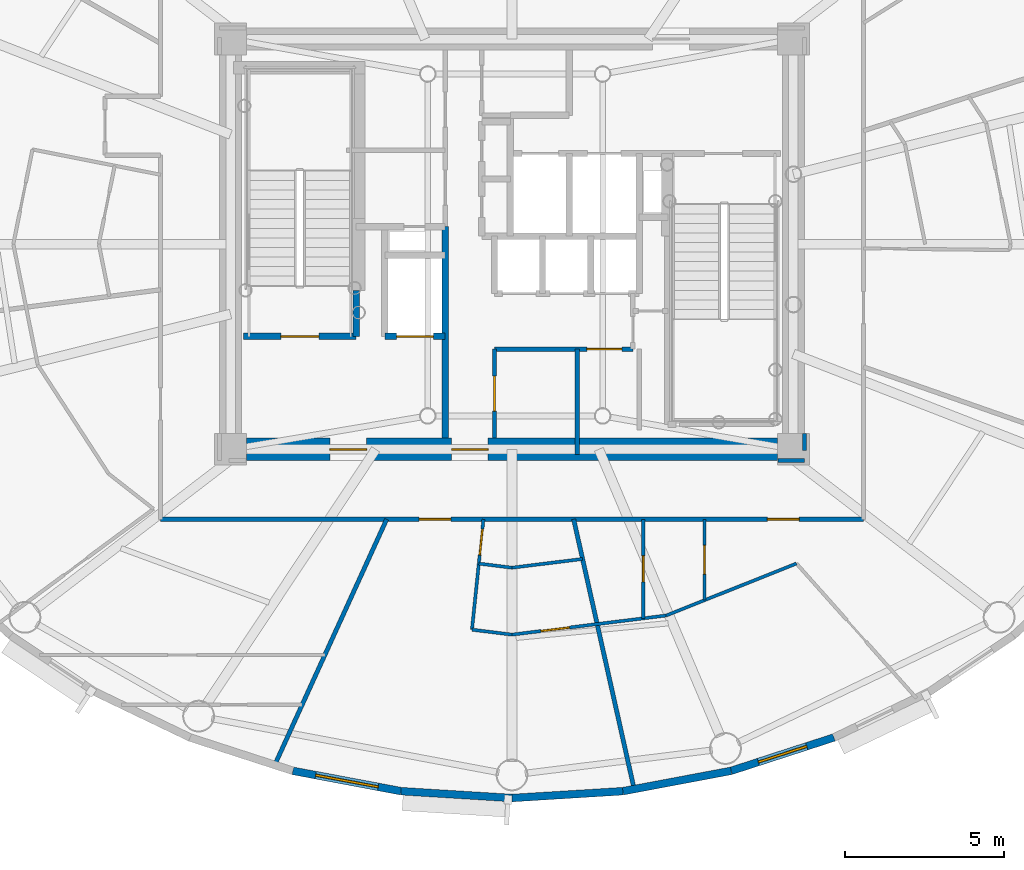
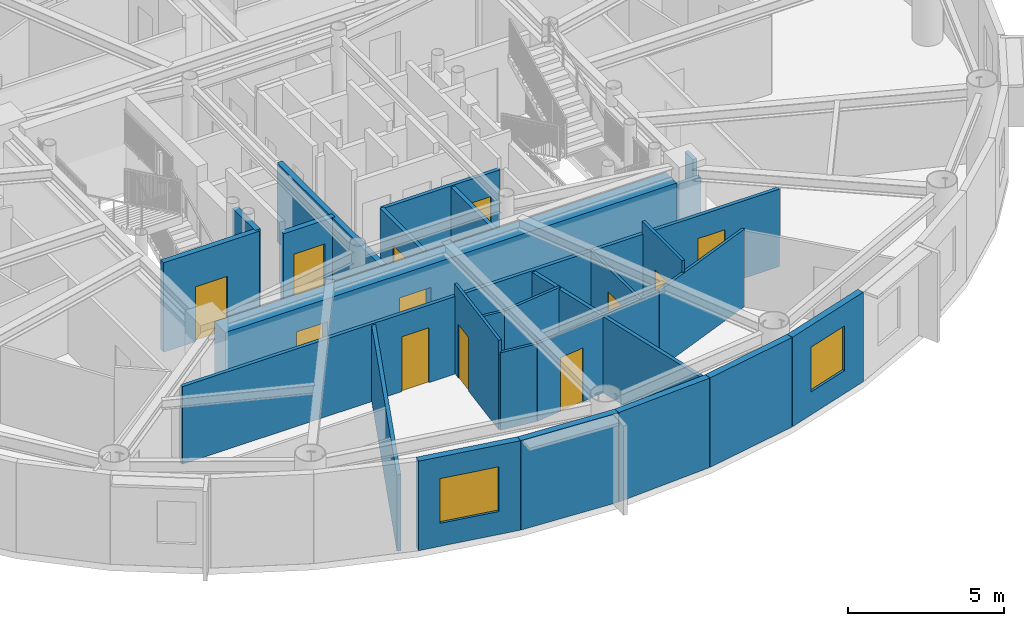
# One storey, part 5 of 17: 26 walls, 12 doors, 2 windows, 14 openings.
"""IFC4 building model written with IfcOpenShell, lengths in metres."""

import ifcopenshell
import ifcopenshell.guid

model = None  # the IFC model being written
_history = None  # IfcOwnerHistory: only IFC2X3 demands one
_inside = {}  # id of a spatial element -> (the spatial element, [elements in it])
_under = {}  # id of a project, library or spatial element -> (it, [spatial elements below it])
_declared = {}  # id of a project -> (the project, [libraries it declares])
_typed = {}  # id of a type object -> (the type object, [elements of that type])
_made_of = {}  # id of a material, layer set ... -> (it, [elements and type objects made of it])


def new_model(schema):
    """Start an empty IFC model of exactly this schema.

    Asked for "IFC4X3", IfcOpenShell would pick the latest addendum, in which some entities
    have other attributes; the version numbers below select the first issue.
    IFC2X3 requires an IfcOwnerHistory on every rooted entity: one is made here for all.
    """
    global model, _history
    if schema == "IFC4X3":
        model = ifcopenshell.file(schema_version=(4, 3, 0, 0))
    else:
        model = ifcopenshell.file(schema=schema)
    _inside.clear()
    _under.clear()
    _declared.clear()
    _typed.clear()
    _made_of.clear()
    _history = None
    if model.schema == "IFC2X3":
        org = make("IfcOrganization", Name="unknown")
        user = make(
            "IfcPersonAndOrganization",
            ThePerson=make("IfcPerson", FamilyName="unknown"),
            TheOrganization=org,
        )
        app = make(
            "IfcApplication",
            ApplicationDeveloper=org,
            Version="unknown",
            ApplicationFullName="unknown",
            ApplicationIdentifier="unknown",
        )
        _history = make(
            "IfcOwnerHistory",
            OwningUser=user,
            OwningApplication=app,
            ChangeAction="ADDED",
            CreationDate=0,
        )
    return model


def make(cls, **values):
    """One entity of the class cls with the attributes given. An attribute that is None is left unset."""
    return model.create_entity(
        cls, **{name: value for name, value in values.items() if value is not None}
    )


def rooted(cls, **values):
    """An entity with a GlobalId (a new one), such as an element, a storey or a relation."""
    return make(cls, GlobalId=ifcopenshell.guid.new(), OwnerHistory=_history, **values)


def si_unit(unit_type, name, prefix=None):
    """IfcSIUnit, for example si_unit("LENGTHUNIT", "METRE", prefix="MILLI")."""
    return make("IfcSIUnit", UnitType=unit_type, Prefix=prefix, Name=name)


def assignment(units):
    """IfcUnitAssignment: the units of a project."""
    return None if units is None else make("IfcUnitAssignment", Units=units)


def point(xyz):
    """IfcCartesianPoint."""
    return None if xyz is None else make("IfcCartesianPoint", Coordinates=xyz)


def direction(xyz):
    """IfcDirection."""
    return None if xyz is None else make("IfcDirection", DirectionRatios=xyz)


def frame(location, z_axis=None, x_axis=None):
    """IfcAxis2Placement3D, a coordinate frame: its origin and axes. An axis left out is left unset."""
    return make(
        "IfcAxis2Placement3D",
        Location=point(location),
        Axis=direction(z_axis),
        RefDirection=direction(x_axis),
    )


def frame_2d(location, x_axis=None):
    """IfcAxis2Placement2D, a coordinate frame in the plane: its origin and x axis."""
    return make(
        "IfcAxis2Placement2D", Location=point(location), RefDirection=direction(x_axis)
    )


def origin():
    """The frame at (0, 0, 0) with its axes left unset."""
    return frame((0.0, 0.0, 0.0))


def origin_2d():
    """The frame at (0, 0) in the plane with its x axis left unset."""
    return frame_2d((0.0, 0.0))


def place(relative_to, where):
    """IfcLocalPlacement: puts the frame where relative to a parent placement (None: the world)."""
    return make(
        "IfcLocalPlacement", PlacementRelTo=relative_to, RelativePlacement=where
    )


def context(
    kind, dimensions, precision=None, world=None, true_north=None, identifier=None
):
    """IfcGeometricRepresentationContext, for example the 3D "Model" context."""
    return make(
        "IfcGeometricRepresentationContext",
        ContextIdentifier=identifier,
        ContextType=kind,
        CoordinateSpaceDimension=dimensions,
        Precision=precision,
        WorldCoordinateSystem=world,
        TrueNorth=true_north,
    )


def subcontext(parent, identifier, kind, view, scale=None):
    """IfcGeometricRepresentationSubContext, for example "Body" below "Model"."""
    return make(
        "IfcGeometricRepresentationSubContext",
        ContextIdentifier=identifier,
        ContextType=kind,
        ParentContext=parent,
        TargetScale=scale,
        TargetView=view,
    )


def project(units=None, contexts=None):
    """IfcProject with its units and contexts."""
    return rooted(
        "IfcProject",
        Name="project",
        RepresentationContexts=contexts,
        UnitsInContext=assignment(units),
    )


def spatial(cls, under=None, at=None, **own):
    """A site, building, storey or space (cls), placed at a placement, below another one or the project."""
    s = rooted(cls, ObjectPlacement=at, **own)
    if under is not None:
        _under.setdefault(under.id(), (under, []))[1].append(s)
    return s


def profile(cls, at=None, kind="AREA", **sizes):
    """A parametric profile (cls). Its sizes go by their IFC names, for example OverallWidth=200.0."""
    return make(cls, ProfileType=kind, Position=at, **sizes)


def rectangle(**sizes):
    """IfcRectangleProfileDef."""
    return profile("IfcRectangleProfileDef", **sizes)


def extrude(swept, where, along, depth):
    """IfcExtrudedAreaSolid: the profile swept, set in the frame where, extruded along a direction by depth."""
    return make(
        "IfcExtrudedAreaSolid",
        SweptArea=swept,
        Position=where,
        ExtrudedDirection=direction(along),
        Depth=depth,
    )


def shape(context_of_items, identifier, shape_type, items):
    """IfcShapeRepresentation: the items that make up one representation, for example the "Body"."""
    return make(
        "IfcShapeRepresentation",
        ContextOfItems=context_of_items,
        RepresentationIdentifier=identifier,
        RepresentationType=shape_type,
        Items=items,
    )


def source(mapping_origin, context_of_items, identifier, shape_type, items):
    """IfcRepresentationMap: a shape defined once, which mapped items show again and again."""
    return make(
        "IfcRepresentationMap",
        MappingOrigin=mapping_origin,
        MappedRepresentation=shape(context_of_items, identifier, shape_type, items),
    )


def transform(
    local_origin,
    x_axis=None,
    y_axis=None,
    z_axis=None,
    scale=None,
    scale2=None,
    scale3=None,
    uniform=True,
):
    """IfcCartesianTransformationOperator3D, or its non-uniform kind. x_axis, y_axis, z_axis: its Axis1, 2, 3."""
    if uniform:
        return make(
            "IfcCartesianTransformationOperator3D",
            Axis1=direction(x_axis),
            Axis2=direction(y_axis),
            LocalOrigin=point(local_origin),
            Scale=scale,
            Axis3=direction(z_axis),
        )
    return make(
        "IfcCartesianTransformationOperator3DnonUniform",
        Axis1=direction(x_axis),
        Axis2=direction(y_axis),
        LocalOrigin=point(local_origin),
        Scale=scale,
        Axis3=direction(z_axis),
        Scale2=scale2,
        Scale3=scale3,
    )


def mapped(mapping_source, mapping_target):
    """IfcMappedItem: shows the shape of a source again, moved by a transform."""
    return make(
        "IfcMappedItem", MappingSource=mapping_source, MappingTarget=mapping_target
    )


def material(Name=None, Category=None):
    """IfcMaterial."""
    return make("IfcMaterial", Name=Name, Category=Category)


def layer(
    of_material, thickness, ventilated=None, Name=None, Category=None, Priority=None
):
    """IfcMaterialLayer: one layer of a wall or slab, of a material (None: an air gap)."""
    return make(
        "IfcMaterialLayer",
        Material=of_material,
        LayerThickness=thickness,
        IsVentilated=ventilated,
        Name=Name,
        Category=Category,
        Priority=Priority,
    )


def layer_set(layers, Name=None):
    """IfcMaterialLayerSet."""
    return make("IfcMaterialLayerSet", MaterialLayers=layers, LayerSetName=Name)


def made_of(thing, what):
    """Note that an element or type object is made of a material, layer set ...; save() writes the relation."""
    if what is not None:
        _made_of.setdefault(what.id(), (what, []))[1].append(thing)
    return thing


def type_object(cls, material=None, **own):
    """A type object (cls), such as IfcWallType, which elements share."""
    return made_of(rooted(cls, **own), material)


def element(
    cls,
    number,
    at=None,
    inside=None,
    cuts=None,
    type_object=None,
    material=None,
    context=None,
    identifier="Body",
    shape_type=None,
    held_by="IfcProductDefinitionShape",
    body=None,
    shapes=None,
    **own,
):
    """One element of the class cls, such as IfcWall. Its Tag is "e" and its number.

    at: its placement. inside: the storey or other place that contains it. cuts: it is an
    opening in that element (IfcRelVoidsElement). A single representation is given by context,
    identifier, shape_type and body (its items); several are given by shapes. held_by: the class
    of the entity that holds the representations. save() writes the other relations.
    """
    e = rooted(cls, Tag="e%d" % number, ObjectPlacement=at, **own)
    if body is not None:
        shapes = [shape(context, identifier, shape_type, body)]
    if shapes is not None:
        e.Representation = make(held_by, Representations=shapes)
    if inside is not None:
        _inside.setdefault(inside.id(), (inside, []))[1].append(e)
    if cuts is not None:
        rooted(
            "IfcRelVoidsElement", RelatingBuildingElement=cuts, RelatedOpeningElement=e
        )
    if type_object is not None:
        _typed.setdefault(type_object.id(), (type_object, []))[1].append(e)
    return made_of(e, material)


def fill(opening, filler):
    """IfcRelFillsElement: the door or window that sits in an opening."""
    return rooted(
        "IfcRelFillsElement",
        RelatingOpeningElement=opening,
        RelatedBuildingElement=filler,
    )


def aggregate(whole, parts):
    """IfcRelAggregates: a whole, such as a stair, and the parts it consists of."""
    return rooted("IfcRelAggregates", RelatingObject=whole, RelatedObjects=parts)


def save(model, path):
    """Write the relations noted so far, then the file.

    IfcRelAggregates (storeys below a building ...), IfcRelContainedInSpatialStructure (elements
    in a storey), IfcRelDefinesByType, IfcRelAssociatesMaterial and IfcRelDeclares: one each for
    every whole, place, type object, material and project.
    """
    for whole, parts in _under.values():
        aggregate(whole, parts)
    for where, things in _inside.values():
        rooted(
            "IfcRelContainedInSpatialStructure",
            RelatedElements=things,
            RelatingStructure=where,
        )
    for kind, things in _typed.values():
        rooted("IfcRelDefinesByType", RelatedObjects=things, RelatingType=kind)
    for what, things in _made_of.values():
        rooted("IfcRelAssociatesMaterial", RelatedObjects=things, RelatingMaterial=what)
    for by, libraries in _declared.values():
        rooted("IfcRelDeclares", RelatingContext=by, RelatedDefinitions=libraries)
    model.write(path)


model = new_model("IFC4")

# Units and contexts
model_context = context("Model", 3, precision=1e-05, world=origin(), true_north=direction((0.0, 1.0)))
body_context = subcontext(model_context, "Body", "Model", "MODEL_VIEW")
ifc_project = project(units=[si_unit("LENGTHUNIT", "METRE"), si_unit("AREAUNIT", "SQUARE_METRE"), si_unit("VOLUMEUNIT", "CUBIC_METRE"), si_unit("PLANEANGLEUNIT", "RADIAN"), si_unit("MASSUNIT", "GRAM", prefix="KILO")], contexts=[model_context])

# Site, building, storey
site_placement = place(None, origin())
site = spatial("IfcSite", under=ifc_project, at=site_placement, CompositionType="ELEMENT")
building_placement = place(site_placement, origin())
building = spatial("IfcBuilding", under=site, at=building_placement, Name="Linh Dai School and Residence Tower", CompositionType="ELEMENT")
storey_placement = place(building_placement, frame((0.0, 0.0, 303.0)))
storey = spatial("IfcBuildingStorey", under=building, at=storey_placement, Name="L75", CompositionType="ELEMENT", Elevation=303.0)

# Wall, opening, window
ifc_material_1 = material(Name="Precast Concrete B45 (C35/45)", Category="concrete")
ifc_layer_1 = layer(ifc_material_1, 0.239990234375)
ifc_layer_set_1 = layer_set([ifc_layer_1], Name="Precast Concrete B45 (C35/45)")
wall_type_1 = type_object("IfcWallType", Name="EW-TC-240", PredefinedType="SOLIDWALL", material=ifc_layer_set_1)
wall_1_placement = place(storey_placement, frame((32.51123046875, 9.800048828125, 0.0), z_axis=(0.0, 0.0, 1.0), x_axis=(-0.982782655757, 0.184765395959, 0.0)))
wall_1 = element("IfcWall", 1, at=wall_1_placement, inside=storey, type_object=wall_type_1, Name="L75 Terracotta Exterior Wall 29", PredefinedType="SOLIDWALL", context=body_context, shape_type="SweptSolid", body=[
    extrude(rectangle(XDim=3.4619140625, YDim=0.239990234375, at=frame_2d((1.73095703125, 0.0))), origin(), (0.0, 0.0, 1.0), 3.5),
])
opening_1_placement = place(wall_1_placement, frame((0.73095703125, 0.0, 0.89990234375)))
opening_1 = element("IfcOpeningElement", 2, at=opening_1_placement, cuts=wall_1, Name="Opening W1", PredefinedType="OPENING", context=body_context, shape_type="SweptSolid", body=[
    extrude(rectangle(XDim=2.0, YDim=1.75, at=origin_2d()), frame((1.0, 0.1298828125, 0.875), z_axis=(0.0, -1.0, 0.0), x_axis=(1.0, 0.0, 0.0)), (0.0, 0.0, 1.0), 0.260009765625),
])
ifc_material_2 = material(Name="Double Low-E Insulated Glazing", Category="glass")
window_type_1 = type_object("IfcWindowType", Name="WN-RES-2000x1750", PartitioningType="DOUBLE_PANEL_VERTICAL", PredefinedType="WINDOW", material=ifc_material_2)
shared_shape_1 = source(origin(), body_context, "Body", "SweptSolid", [
    extrude(rectangle(XDim=2.0, YDim=1.75, at=origin_2d()), frame((1.0, 0.030029296875, 0.875), z_axis=(0.0, -1.0, 0.0), x_axis=(1.0, 0.0, 0.0)), (0.0, 0.0, 1.0), 0.06005859375),
])
window_1_placement = place(opening_1_placement, origin())
window_1 = element("IfcWindow", 3, at=window_1_placement, inside=storey, type_object=window_type_1, Name="L75 Exterior Window 29.1", OverallHeight=1.75, OverallWidth=2.0, PartitioningType="DOUBLE_PANEL_VERTICAL", PredefinedType="WINDOW", context=body_context, shape_type="MappedRepresentation", body=[
    mapped(shared_shape_1, transform((0.0, 0.0, 0.0), x_axis=(1.0, 0.0, 0.0), y_axis=(0.0, 1.0, 0.0), z_axis=(0.0, 0.0, 1.0), scale=1.0)),
])
fill(opening_1, window_1)

# Walls
for number, where, z_axis, x_axis, name in (
    (4, (36.0, 9.5849609375, 0.0), (0.0, 0.0, 1.0), (-0.998104946479, 0.061534671648, 0.0), "L75 Terracotta Exterior Wall 30"),
    (5, (39.48876953125, 9.800048828125, 0.0), (0.0, 0.0, 1.0), (-0.998104946479, -0.061534671648, 0.0), "L75 Terracotta Exterior Wall 31"),
):
    element("IfcWall", number, at=place(storey_placement, frame(where, z_axis=z_axis, x_axis=x_axis)), inside=storey, type_object=wall_type_1, Name=name, PredefinedType="SOLIDWALL", context=body_context, shape_type="SweptSolid", body=[
        extrude(rectangle(XDim=3.495361328125, YDim=0.239990234375, at=frame_2d((1.74755859375, 0.0))), origin(), (0.0, 0.0, 1.0), 3.5),
    ])
wall_2_placement = place(storey_placement, frame((42.89111328125, 10.439697265625, 0.0), z_axis=(0.0, 0.0, 1.0), x_axis=(-0.982782655757, -0.184765395959, 0.0)))
element("IfcWall", 6, at=wall_2_placement, inside=storey, type_object=wall_type_1, Name="L75 Terracotta Exterior Wall 32", PredefinedType="SOLIDWALL", context=body_context, shape_type="SweptSolid", body=[
    extrude(rectangle(XDim=3.4619140625, YDim=0.239990234375, at=frame_2d((1.73095703125, 0.0))), origin(), (0.0, 0.0, 1.0), 3.5),
])

# Wall, opening, window
wall_3_placement = place(storey_placement, frame((46.123046875, 11.48779296875, 0.0), z_axis=(0.0, 0.0, 1.0), x_axis=(-0.95123136723, -0.308478339592, 0.0)))
wall_3 = element("IfcWall", 7, at=wall_3_placement, inside=storey, type_object=wall_type_1, Name="L75 Terracotta Exterior Wall 33", PredefinedType="SOLIDWALL", context=body_context, shape_type="SweptSolid", body=[
    extrude(rectangle(XDim=3.397705078125, YDim=0.239990234375, at=frame_2d((1.69873046875, 0.0))), origin(), (0.0, 0.0, 1.0), 3.5),
])
opening_2_placement = place(wall_3_placement, frame((0.89892578125, 0.0, 0.89990234375)))
opening_2 = element("IfcOpeningElement", 8, at=opening_2_placement, cuts=wall_3, Name="Opening W2", PredefinedType="OPENING", context=body_context, shape_type="SweptSolid", body=[
    extrude(rectangle(XDim=1.60009765625, YDim=1.75, at=origin_2d()), frame((0.800048828125, 0.1298828125, 0.875), z_axis=(0.0, -1.0, 0.0), x_axis=(1.0, 0.0, 0.0)), (0.0, 0.0, 1.0), 0.260009765625),
])
window_type_2 = type_object("IfcWindowType", Name="WN-RES-1600x1750", PartitioningType="DOUBLE_PANEL_VERTICAL", PredefinedType="WINDOW", material=ifc_material_2)
shared_shape_2 = source(origin(), body_context, "Body", "SweptSolid", [
    extrude(rectangle(XDim=1.60009765625, YDim=1.75, at=origin_2d()), frame((0.800048828125, 0.030029296875, 0.875), z_axis=(0.0, -1.0, 0.0), x_axis=(1.0, 0.0, 0.0)), (0.0, 0.0, 1.0), 0.06005859375),
])
window_2_placement = place(opening_2_placement, origin())
window_2 = element("IfcWindow", 9, at=window_2_placement, inside=storey, type_object=window_type_2, Name="L75 Exterior Window 33.1", OverallHeight=1.75, OverallWidth=1.60009765625, PartitioningType="DOUBLE_PANEL_VERTICAL", PredefinedType="WINDOW", context=body_context, shape_type="MappedRepresentation", body=[
    mapped(shared_shape_2, transform((0.0, 0.0, 0.0), x_axis=(1.0, 0.0, 0.0), y_axis=(0.0, 1.0, 0.0), z_axis=(0.0, 0.0, 1.0), scale=1.0)),
])
fill(opening_2, window_2)

# Wall, openings, doors
ifc_material_3 = material(Name="Autoclaved Aerated Concrete Blockwork", Category="masonry")
ifc_layer_2 = layer(ifc_material_3, 0.135009765625)
ifc_layer_set_2 = layer_set([ifc_layer_2], Name="Autoclaved Aerated Concrete Blockwork")
wall_type_2 = type_object("IfcWallType", Name="IW-CORR-135-EI90", PredefinedType="PARTITIONING", material=ifc_layer_set_2)
wall_4_placement = place(storey_placement, frame((24.949951171875, 18.35009765625, 0.0), z_axis=(0.0, 0.0, 1.0), x_axis=(1.0, 0.0, 0.0)))
wall_4 = element("IfcWall", 10, at=wall_4_placement, inside=storey, type_object=wall_type_2, Name="L75 Interior Partition Wall 017", PredefinedType="PARTITIONING", context=body_context, shape_type="SweptSolid", body=[
    extrude(rectangle(XDim=22.10009765625, YDim=0.135009765625, at=frame_2d((11.050048828125, 0.0))), origin(), (0.0, 0.0, 1.0), 3.034912109375),
])
opening_3_placement = place(wall_4_placement, frame((8.130615234375, 0.0, 0.0)))
opening_3 = element("IfcOpeningElement", 11, at=opening_3_placement, cuts=wall_4, Name="Opening D03", PredefinedType="OPENING", context=body_context, shape_type="SweptSolid", body=[
    extrude(rectangle(XDim=1.0, YDim=2.14990234375, at=origin_2d()), frame((0.5, 0.07763671875, 1.074951171875), z_axis=(0.0, -1.0, 0.0), x_axis=(1.0, 0.0, 0.0)), (0.0, 0.0, 1.0), 0.155029296875),
])
opening_4_placement = place(wall_4_placement, frame((19.08056640625, 0.0, 0.0)))
opening_4 = element("IfcOpeningElement", 12, at=opening_4_placement, cuts=wall_4, Name="Opening D03", PredefinedType="OPENING", context=body_context, shape_type="SweptSolid", body=[
    extrude(rectangle(XDim=1.0, YDim=2.14990234375, at=origin_2d()), frame((0.5, 0.07763671875, 1.074951171875), z_axis=(0.0, -1.0, 0.0), x_axis=(1.0, 0.0, 0.0)), (0.0, 0.0, 1.0), 0.155029296875),
])
ifc_material_4 = material(Name="Fire-Rated Solid Timber Entrance Door", Category="wood")
door_type_1 = type_object("IfcDoorType", Name="DR-FLAT-1000x2150-FD60S", OperationType="NOTDEFINED", PredefinedType="DOOR", material=ifc_material_4)
shared_shape_3 = source(origin(), body_context, "Body", "SweptSolid", [
    extrude(rectangle(XDim=1.0, YDim=2.14990234375, at=origin_2d()), frame((0.5, 0.02490234375, 1.074951171875), z_axis=(0.0, -1.0, 0.0), x_axis=(1.0, 0.0, 0.0)), (0.0, 0.0, 1.0), 0.050048828125),
])
door_1_placement = place(opening_3_placement, origin())
door_1 = element("IfcDoor", 13, at=door_1_placement, inside=storey, type_object=door_type_1, Name="L75 U7505 Apartment Entrance Door", OperationType="SINGLE_SWING_RIGHT", OverallHeight=2.14990234375, OverallWidth=1.0, PredefinedType="DOOR", context=body_context, shape_type="MappedRepresentation", body=[
    mapped(shared_shape_3, transform((0.0, 0.0, 0.0), x_axis=(1.0, 0.0, 0.0), y_axis=(0.0, 1.0, 0.0), z_axis=(0.0, 0.0, 1.0), scale=1.0)),
])
fill(opening_3, door_1)
door_2_placement = place(opening_4_placement, origin())
door_2 = element("IfcDoor", 14, at=door_2_placement, inside=storey, type_object=door_type_1, Name="L75 U7506 Apartment Entrance Door", OperationType="SINGLE_SWING_LEFT", OverallHeight=2.14990234375, OverallWidth=1.0, PredefinedType="DOOR", context=body_context, shape_type="MappedRepresentation", body=[
    mapped(shared_shape_3, transform((0.0, 0.0, 0.0), x_axis=(1.0, 0.0, 0.0), y_axis=(0.0, 1.0, 0.0), z_axis=(0.0, 0.0, 1.0), scale=1.0)),
])
fill(opening_4, door_2)

# Wall
wall_5_placement = place(storey_placement, frame((28.537353515625, 10.61962890625, 0.0), z_axis=(0.0, 0.0, 1.0), x_axis=(0.414582330606, 0.910011808247, 0.0)))
element("IfcWall", 15, at=wall_5_placement, inside=storey, type_object=wall_type_2, Name="L75 Interior Partition Wall 025", PredefinedType="PARTITIONING", context=body_context, shape_type="SweptSolid", body=[
    extrude(rectangle(XDim=8.49462890625, YDim=0.135009765625, at=frame_2d((4.247314453125, 0.0))), origin(), (0.0, 0.0, 1.0), 2.985107421875),
])

# Wall, opening, door
wall_6_placement = place(storey_placement, frame((35.449951171875, 20.89990234375, 0.0), z_axis=(0.0, 0.0, 1.0), x_axis=(0.0, 1.0, 0.0)))
wall_6 = element("IfcWall", 16, at=wall_6_placement, inside=storey, type_object=wall_type_2, Name="L75 Interior Partition Wall 050", PredefinedType="PARTITIONING", context=body_context, shape_type="SweptSolid", body=[
    extrude(rectangle(XDim=2.800048828125, YDim=0.135009765625, at=frame_2d((1.39990234375, 0.0))), origin(), (0.0, 0.0, 1.0), 3.0849609375),
])
opening_5_placement = place(wall_6_placement, frame((0.85009765625, 0.0, 0.0)))
opening_5 = element("IfcOpeningElement", 17, at=opening_5_placement, cuts=wall_6, Name="Opening D07", PredefinedType="OPENING", context=body_context, shape_type="SweptSolid", body=[
    extrude(rectangle(XDim=1.10009765625, YDim=2.14990234375, at=origin_2d()), frame((0.550048828125, 0.07763671875, 1.074951171875), z_axis=(0.0, -1.0, 0.0), x_axis=(1.0, 0.0, 0.0)), (0.0, 0.0, 1.0), 0.155029296875),
])
ifc_material_5 = material(Name="Fire-Rated Louvred Steel Plant Door", Category="steel")
door_type_2 = type_object("IfcDoorType", Name="DR-PLT-1100x2150-FD60S", OperationType="NOTDEFINED", PredefinedType="DOOR", material=ifc_material_5)
shared_shape_4 = source(origin(), body_context, "Body", "SweptSolid", [
    extrude(rectangle(XDim=1.10009765625, YDim=2.14990234375, at=origin_2d()), frame((0.550048828125, 0.02490234375, 1.074951171875), z_axis=(0.0, -1.0, 0.0), x_axis=(1.0, 0.0, 0.0)), (0.0, 0.0, 1.0), 0.050048828125),
])
door_3_placement = place(opening_5_placement, origin())
door_3 = element("IfcDoor", 18, at=door_3_placement, inside=storey, type_object=door_type_2, Name="L75 Floor Electrical Switchroom Door", OperationType="SINGLE_SWING_LEFT", OverallHeight=2.14990234375, OverallWidth=1.10009765625, PredefinedType="DOOR", context=body_context, shape_type="MappedRepresentation", body=[
    mapped(shared_shape_4, transform((0.0, 0.0, 0.0), x_axis=(1.0, 0.0, 0.0), y_axis=(0.0, 1.0, 0.0), z_axis=(0.0, 0.0, 1.0), scale=1.0)),
])
fill(opening_5, door_3)

wall_7_placement = place(storey_placement, frame((35.449951171875, 23.699951171875, 0.0), z_axis=(0.0, 0.0, 1.0), x_axis=(1.0, 0.0, 0.0)))
wall_7 = element("IfcWall", 19, at=wall_7_placement, inside=storey, type_object=wall_type_2, Name="L75 Interior Partition Wall 051", PredefinedType="PARTITIONING", context=body_context, shape_type="SweptSolid", body=[
    extrude(rectangle(XDim=4.35009765625, YDim=0.135009765625, at=frame_2d((2.175048828125, 0.0))), origin(), (0.0, 0.0, 1.0), 3.0849609375),
])
opening_6_placement = place(wall_7_placement, frame((2.905029296875, 0.0, 0.0)))
opening_6 = element("IfcOpeningElement", 20, at=opening_6_placement, cuts=wall_7, Name="Opening D07", PredefinedType="OPENING", context=body_context, shape_type="SweptSolid", body=[
    extrude(rectangle(XDim=1.10009765625, YDim=2.14990234375, at=origin_2d()), frame((0.550048828125, 0.07763671875, 1.074951171875), z_axis=(0.0, -1.0, 0.0), x_axis=(1.0, 0.0, 0.0)), (0.0, 0.0, 1.0), 0.155029296875),
])
door_4_placement = place(opening_6_placement, origin())
door_4 = element("IfcDoor", 21, at=door_4_placement, inside=storey, type_object=door_type_2, Name="L75 Telecom Node Room Door", OperationType="SINGLE_SWING_RIGHT", OverallHeight=2.14990234375, OverallWidth=1.10009765625, PredefinedType="DOOR", context=body_context, shape_type="MappedRepresentation", body=[
    mapped(shared_shape_4, transform((0.0, 0.0, 0.0), x_axis=(1.0, 0.0, 0.0), y_axis=(0.0, 1.0, 0.0), z_axis=(0.0, 0.0, 1.0), scale=1.0)),
])
fill(opening_6, door_4)

# Walls
wall_8_placement = place(storey_placement, frame((37.939208984375, 18.35009765625, 0.0), z_axis=(0.0, 0.0, 1.0), x_axis=(0.218784248646, -0.975773258777, 0.0)))
element("IfcWall", 22, at=wall_8_placement, inside=storey, type_object=wall_type_2, Name="L75 Interior Partition Wall 064", PredefinedType="PARTITIONING", context=body_context, shape_type="SweptSolid", body=[
    extrude(rectangle(XDim=8.699462890625, YDim=0.135009765625, at=frame_2d((4.349609375, 0.0))), origin(), (0.0, 0.0, 1.0), 2.985107421875),
])
wall_9_placement = place(storey_placement, frame((44.360107421875, 20.199951171875, 0.0), z_axis=(0.0, 0.0, 1.0), x_axis=(1.0, 0.0, 0.0)))
element("IfcWall", 23, at=wall_9_placement, inside=storey, type_object=wall_type_2, Name="L75 Interior Partition Wall 100", PredefinedType="PARTITIONING", context=body_context, shape_type="SweptSolid", body=[
    extrude(rectangle(XDim=0.83984375, YDim=0.135009765625, at=frame_2d((0.419921875, 0.0))), origin(), (0.0, 0.0, 1.0), 3.034912109375),
])
wall_10_placement = place(storey_placement, frame((45.199951171875, 20.507568359375, 0.0), z_axis=(0.0, 0.0, 1.0), x_axis=(0.0, 1.0, 0.0)))
element("IfcWall", 24, at=wall_10_placement, inside=storey, type_object=wall_type_2, Name="L75 Interior Partition Wall 101", PredefinedType="PARTITIONING", context=body_context, shape_type="SweptSolid", body=[
    extrude(rectangle(XDim=0.532470703125, YDim=0.135009765625, at=frame_2d((0.26611328125, 0.0))), origin(), (0.0, 0.0, 1.0), 3.5),
])
ifc_layer_3 = layer(ifc_material_3, 0.14990234375)
ifc_layer_set_3 = layer_set([ifc_layer_3], Name="Autoclaved Aerated Concrete Blockwork")
wall_type_3 = type_object("IfcWallType", Name="IW-SCH-150-EI60", PredefinedType="PARTITIONING", material=ifc_layer_set_3)
wall_11_placement = place(storey_placement, frame((38.050048828125, 20.3798828125, 0.0), z_axis=(0.0, 0.0, 1.0), x_axis=(0.0, 1.0, 0.0)))
element("IfcWall", 25, at=wall_11_placement, inside=storey, type_object=wall_type_3, Name="L75 Interior Partition Wall 065", PredefinedType="PARTITIONING", context=body_context, shape_type="SweptSolid", body=[
    extrude(rectangle(XDim=3.320068359375, YDim=0.14990234375, at=frame_2d((1.66015625, 0.0))), origin(), (0.0, 0.0, 1.0), 3.034912109375),
])

# Wall, opening, door
ifc_material_6 = material(Name="Concrete B45 (C35/45)", Category="concrete")
ifc_layer_4 = layer(ifc_material_6, 0.199951171875)
ifc_layer_set_4 = layer_set([ifc_layer_4], Name="Concrete B45 (C35/45)")
wall_type_4 = type_object("IfcWallType", Name="IW-SHAFT-200-EI120", PredefinedType="PARTITIONING", material=ifc_layer_set_4)
wall_12_placement = place(storey_placement, frame((27.56005859375, 24.10009765625, 0.0), z_axis=(0.0, 0.0, 1.0), x_axis=(1.0, 0.0, 0.0)))
wall_12 = element("IfcWall", 26, at=wall_12_placement, inside=storey, type_object=wall_type_4, Name="L75 Interior Partition Wall 024", PredefinedType="PARTITIONING", context=body_context, shape_type="SweptSolid", body=[
    extrude(rectangle(XDim=3.5400390625, YDim=0.199951171875, at=frame_2d((1.77001953125, 0.0))), origin(), (0.0, 0.0, 1.0), 3.5),
])
opening_7_placement = place(wall_12_placement, frame((1.169921875, 0.0, 0.0)))
opening_7 = element("IfcOpeningElement", 27, at=opening_7_placement, cuts=wall_12, Name="Opening D01", PredefinedType="OPENING", context=body_context, shape_type="SweptSolid", body=[
    extrude(rectangle(XDim=1.199951171875, YDim=2.14990234375, at=origin_2d()), frame((0.60009765625, 0.10986328125, 1.074951171875), z_axis=(0.0, -1.0, 0.0), x_axis=(1.0, 0.0, 0.0)), (0.0, 0.0, 1.0), 0.219970703125),
])
ifc_material_7 = material(Name="Fire-Rated Steel Door Leaf", Category="steel")
door_type_3 = type_object("IfcDoorType", Name="DR-STAIR-1200x2150-FD90S", OperationType="NOTDEFINED", PredefinedType="DOOR", material=ifc_material_7)
shared_shape_5 = source(origin(), body_context, "Body", "SweptSolid", [
    extrude(rectangle(XDim=1.199951171875, YDim=2.14990234375, at=origin_2d()), frame((0.60009765625, 0.02490234375, 1.074951171875), z_axis=(0.0, -1.0, 0.0), x_axis=(1.0, 0.0, 0.0)), (0.0, 0.0, 1.0), 0.050048828125),
])
door_5_placement = place(opening_7_placement, origin())
door_5 = element("IfcDoor", 28, at=door_5_placement, inside=storey, type_object=door_type_3, Name="L75 Core Smokeproof Exit Stair ST1 Door", OperationType="SINGLE_SWING_LEFT", OverallHeight=2.14990234375, OverallWidth=1.199951171875, PredefinedType="DOOR", context=body_context, shape_type="MappedRepresentation", body=[
    mapped(shared_shape_5, transform((0.0, 0.0, 0.0), x_axis=(1.0, 0.0, 0.0), y_axis=(0.0, 1.0, 0.0), z_axis=(0.0, 0.0, 1.0), scale=1.0)),
])
fill(opening_7, door_5)

# Wall
wall_13_placement = place(storey_placement, frame((31.10009765625, 24.10009765625, 0.0), z_axis=(0.0, 0.0, 1.0), x_axis=(0.0, 1.0, 0.0)))
element("IfcWall", 29, at=wall_13_placement, inside=storey, type_object=wall_type_4, Name="L75 Interior Partition Wall 029", PredefinedType="PARTITIONING", context=body_context, shape_type="SweptSolid", body=[
    extrude(rectangle(XDim=1.43994140625, YDim=0.199951171875, at=frame_2d((0.719970703125, 0.0))), origin(), (0.0, 0.0, 1.0), 3.5),
])

# Wall, opening, door
wall_14_placement = place(storey_placement, frame((32.0, 24.10009765625, 0.0), z_axis=(0.0, 0.0, 1.0), x_axis=(1.0, 0.0, 0.0)))
wall_14 = element("IfcWall", 30, at=wall_14_placement, inside=storey, type_object=wall_type_4, Name="L75 Interior Partition Wall 033", PredefinedType="PARTITIONING", context=body_context, shape_type="SweptSolid", body=[
    extrude(rectangle(XDim=1.89990234375, YDim=0.199951171875, at=frame_2d((0.949951171875, 0.0))), origin(), (0.0, 0.0, 1.0), 3.0849609375),
])
opening_8_placement = place(wall_14_placement, frame((0.375, 0.0, 0.0)))
opening_8 = element("IfcOpeningElement", 31, at=opening_8_placement, cuts=wall_14, Name="Opening LD-FF2", PredefinedType="OPENING", context=body_context, shape_type="SweptSolid", body=[
    extrude(rectangle(XDim=1.14990234375, YDim=2.14990234375, at=origin_2d()), frame((0.574951171875, 0.10986328125, 1.074951171875), z_axis=(0.0, -1.0, 0.0), x_axis=(1.0, 0.0, 0.0)), (0.0, 0.0, 1.0), 0.219970703125),
])
ifc_material_8 = material(Name="Fire-Rated Stainless Steel Firefighting Lift Door", Category="steel")
door_type_4 = type_object("IfcDoorType", Name="DR-LD-FF-1150x2150-FD120", OperationType="DOUBLE_DOOR_SLIDING", PredefinedType="USERDEFINED", material=ifc_material_8)
shared_shape_6 = source(origin(), body_context, "Body", "SweptSolid", [
    extrude(rectangle(XDim=1.14990234375, YDim=2.14990234375, at=origin_2d()), frame((0.574951171875, 0.02490234375, 1.074951171875), z_axis=(0.0, -1.0, 0.0), x_axis=(1.0, 0.0, 0.0)), (0.0, 0.0, 1.0), 0.050048828125),
])
door_6_placement = place(opening_8_placement, origin())
door_6 = element("IfcDoor", 32, at=door_6_placement, inside=storey, type_object=door_type_4, Name="L75 Lift FF2 Sliding Landing Door", ObjectType="LANDING DOOR", OperationType="DOUBLE_DOOR_SLIDING", OverallHeight=2.14990234375, OverallWidth=1.14990234375, PredefinedType="USERDEFINED", context=body_context, shape_type="MappedRepresentation", body=[
    mapped(shared_shape_6, transform((0.0, 0.0, 0.0), x_axis=(1.0, 0.0, 0.0), y_axis=(0.0, 1.0, 0.0), z_axis=(0.0, 0.0, 1.0), scale=1.0)),
])
fill(opening_8, door_6)

# Wall
wall_15_placement = place(storey_placement, frame((33.89990234375, 20.89990234375, 0.0), z_axis=(0.0, 0.0, 1.0), x_axis=(0.0, 1.0, 0.0)))
element("IfcWall", 33, at=wall_15_placement, inside=storey, type_object=wall_type_4, Name="L75 Interior Partition Wall 035", PredefinedType="PARTITIONING", context=body_context, shape_type="SweptSolid", body=[
    extrude(rectangle(XDim=6.650146484375, YDim=0.199951171875, at=frame_2d((3.3251953125, 0.0))), origin(), (0.0, 0.0, 1.0), 3.0849609375),
])

# Wall, opening, door
ifc_material_9 = material(Name="Gypsum Plasterboard Acoustic Stud Partition", Category="masonry")
ifc_layer_5 = layer(ifc_material_9, 0.10009765625)
ifc_layer_set_5 = layer_set([ifc_layer_5], Name="Gypsum Plasterboard Acoustic Stud Partition")
wall_type_5 = type_object("IfcWallType", Name="IW-UNIT-100", PredefinedType="PARTITIONING", material=ifc_layer_set_5)
wall_16_placement = place(storey_placement, frame((34.7412109375, 14.878173828125, 0.0), z_axis=(0.0, 0.0, 1.0), x_axis=(0.103304807989, 0.994649745713, 0.0)))
wall_16 = element("IfcWall", 34, at=wall_16_placement, inside=storey, type_object=wall_type_5, Name="L75 Interior Partition Wall 038", PredefinedType="PARTITIONING", context=body_context, shape_type="SweptSolid", body=[
    extrude(rectangle(XDim=3.490478515625, YDim=0.10009765625, at=frame_2d((1.7451171875, 0.0))), origin(), (0.0, 0.0, 1.0), 3.5),
])
opening_9_placement = place(wall_16_placement, frame((2.35986328125, 0.0, 0.0)))
opening_9 = element("IfcOpeningElement", 35, at=opening_9_placement, cuts=wall_16, Name="Opening D06", PredefinedType="OPENING", context=body_context, shape_type="SweptSolid", body=[
    extrude(rectangle(XDim=0.820068359375, YDim=2.10009765625, at=origin_2d()), frame((0.41015625, 0.06005859375, 1.050048828125), z_axis=(0.0, -1.0, 0.0), x_axis=(1.0, 0.0, 0.0)), (0.0, 0.0, 1.0), 0.1201171875),
])
ifc_material_10 = material(Name="Moisture-Resistant Timber Bathroom Door", Category="wood")
door_type_5 = type_object("IfcDoorType", Name="DR-WET-820x2100", OperationType="NOTDEFINED", PredefinedType="DOOR", material=ifc_material_10)
shared_shape_7 = source(origin(), body_context, "Body", "SweptSolid", [
    extrude(rectangle(XDim=0.820068359375, YDim=2.10009765625, at=origin_2d()), frame((0.41015625, 0.02490234375, 1.050048828125), z_axis=(0.0, -1.0, 0.0), x_axis=(1.0, 0.0, 0.0)), (0.0, 0.0, 1.0), 0.050048828125),
])
door_7_placement = place(opening_9_placement, origin())
door_7 = element("IfcDoor", 36, at=door_7_placement, inside=storey, type_object=door_type_5, Name="L75 Apartment U7505 Bathroom Door", OperationType="SINGLE_SWING_LEFT", OverallHeight=2.10009765625, OverallWidth=0.820068359375, PredefinedType="DOOR", context=body_context, shape_type="MappedRepresentation", body=[
    mapped(shared_shape_7, transform((0.0, 0.0, 0.0), x_axis=(1.0, 0.0, 0.0), y_axis=(0.0, 1.0, 0.0), z_axis=(0.0, 0.0, 1.0), scale=1.0)),
])
fill(opening_9, door_7)

# Walls
wall_17_placement = place(storey_placement, frame((34.7412109375, 14.878173828125, 0.0), z_axis=(0.0, 0.0, 1.0), x_axis=(0.992384109965, -0.123181891074, 0.0)))
element("IfcWall", 37, at=wall_17_placement, inside=storey, type_object=wall_type_5, Name="L75 Interior Partition Wall 039", PredefinedType="PARTITIONING", context=body_context, shape_type="SweptSolid", body=[
    extrude(rectangle(XDim=1.2685546875, YDim=0.10009765625, at=frame_2d((0.63427734375, 0.0))), origin(), (0.0, 0.0, 1.0), 3.034912109375),
])
wall_18_placement = place(storey_placement, frame((34.95703125, 16.9560546875, 0.0), z_axis=(0.0, 0.0, 1.0), x_axis=(0.99242017646, -0.122890981589, 0.0)))
element("IfcWall", 38, at=wall_18_placement, inside=storey, type_object=wall_type_5, Name="L75 Interior Partition Wall 040", PredefinedType="PARTITIONING", context=body_context, shape_type="SweptSolid", body=[
    extrude(rectangle(XDim=1.051025390625, YDim=0.10009765625, at=frame_2d((0.525390625, 0.0))), origin(), (0.0, 0.0, 1.0), 3.034912109375),
])

# Wall, opening, door
wall_19_placement = place(storey_placement, frame((36.0, 14.721923828125, 0.0), z_axis=(0.0, 0.0, 1.0), x_axis=(0.99239360053, 0.123105408601, 0.0)))
wall_19 = element("IfcWall", 39, at=wall_19_placement, inside=storey, type_object=wall_type_5, Name="L75 Interior Partition Wall 057", PredefinedType="PARTITIONING", context=body_context, shape_type="SweptSolid", body=[
    extrude(rectangle(XDim=4.882568359375, YDim=0.10009765625, at=frame_2d((2.44140625, 0.0))), origin(), (0.0, 0.0, 1.0), 3.034912109375),
])
opening_10_placement = place(wall_19_placement, frame((0.91943359375, 0.0, 0.0)))
opening_10 = element("IfcOpeningElement", 40, at=opening_10_placement, cuts=wall_19, Name="Opening D05", PredefinedType="OPENING", context=body_context, shape_type="SweptSolid", body=[
    extrude(rectangle(XDim=0.89990234375, YDim=2.10009765625, at=origin_2d()), frame((0.449951171875, 0.06005859375, 1.050048828125), z_axis=(0.0, -1.0, 0.0), x_axis=(1.0, 0.0, 0.0)), (0.0, 0.0, 1.0), 0.1201171875),
])
ifc_material_11 = material(Name="Engineered Timber Internal Door", Category="wood")
door_type_6 = type_object("IfcDoorType", Name="DR-INT-900x2100", OperationType="NOTDEFINED", PredefinedType="DOOR", material=ifc_material_11)
shared_shape_8 = source(origin(), body_context, "Body", "SweptSolid", [
    extrude(rectangle(XDim=0.89990234375, YDim=2.10009765625, at=origin_2d()), frame((0.449951171875, 0.02490234375, 1.050048828125), z_axis=(0.0, -1.0, 0.0), x_axis=(1.0, 0.0, 0.0)), (0.0, 0.0, 1.0), 0.050048828125),
])
door_8_placement = place(opening_10_placement, origin())
door_8 = element("IfcDoor", 41, at=door_8_placement, inside=storey, type_object=door_type_6, Name="L75 Apartment U7505 Kitchen Door", OperationType="SINGLE_SWING_RIGHT", OverallHeight=2.10009765625, OverallWidth=0.89990234375, PredefinedType="DOOR", context=body_context, shape_type="MappedRepresentation", body=[
    mapped(shared_shape_8, transform((0.0, 0.0, 0.0), x_axis=(1.0, 0.0, 0.0), y_axis=(0.0, 1.0, 0.0), z_axis=(0.0, 0.0, 1.0), scale=1.0)),
])
fill(opening_10, door_8)

# Wall
wall_20_placement = place(storey_placement, frame((36.0, 16.826904296875, 0.0), z_axis=(0.0, 0.0, 1.0), x_axis=(0.992401670171, 0.123040339085, 0.0)))
element("IfcWall", 42, at=wall_20_placement, inside=storey, type_object=wall_type_5, Name="L75 Interior Partition Wall 058", PredefinedType="PARTITIONING", context=body_context, shape_type="SweptSolid", body=[
    extrude(rectangle(XDim=2.236328125, YDim=0.10009765625, at=frame_2d((1.1181640625, 0.0))), origin(), (0.0, 0.0, 1.0), 3.034912109375),
])

# Wall, opening, door
wall_21_placement = place(storey_placement, frame((40.12646484375, 15.233642578125, 0.0), z_axis=(0.0, 0.0, 1.0), x_axis=(0.0, 1.0, 0.0)))
wall_21 = element("IfcWall", 43, at=wall_21_placement, inside=storey, type_object=wall_type_5, Name="L75 Interior Partition Wall 074", PredefinedType="PARTITIONING", context=body_context, shape_type="SweptSolid", body=[
    extrude(rectangle(XDim=3.116455078125, YDim=0.10009765625, at=frame_2d((1.55810546875, 0.0))), origin(), (0.0, 0.0, 1.0), 3.034912109375),
])
opening_11_placement = place(wall_21_placement, frame((1.148193359375, 0.0, 0.0)))
opening_11 = element("IfcOpeningElement", 44, at=opening_11_placement, cuts=wall_21, Name="Opening D06", PredefinedType="OPENING", context=body_context, shape_type="SweptSolid", body=[
    extrude(rectangle(XDim=0.820068359375, YDim=2.10009765625, at=origin_2d()), frame((0.41015625, 0.06005859375, 1.050048828125), z_axis=(0.0, -1.0, 0.0), x_axis=(1.0, 0.0, 0.0)), (0.0, 0.0, 1.0), 0.1201171875),
])
door_9_placement = place(opening_11_placement, origin())
door_9 = element("IfcDoor", 45, at=door_9_placement, inside=storey, type_object=door_type_5, Name="L75 Apartment U7506 Bathroom 1 Door", OperationType="SINGLE_SWING_RIGHT", OverallHeight=2.10009765625, OverallWidth=0.820068359375, PredefinedType="DOOR", context=body_context, shape_type="MappedRepresentation", body=[
    mapped(shared_shape_7, transform((0.0, 0.0, 0.0), x_axis=(1.0, 0.0, 0.0), y_axis=(0.0, 1.0, 0.0), z_axis=(0.0, 0.0, 1.0), scale=1.0)),
])
fill(opening_11, door_9)

# Wall
wall_22_placement = place(storey_placement, frame((40.845458984375, 15.322998046875, 0.0), z_axis=(0.0, 0.0, 1.0), x_axis=(0.928815810282, 0.370541752804, 0.0)))
element("IfcWall", 46, at=wall_22_placement, inside=storey, type_object=wall_type_5, Name="L75 Interior Partition Wall 075", PredefinedType="PARTITIONING", context=body_context, shape_type="SweptSolid", body=[
    extrude(rectangle(XDim=4.413818359375, YDim=0.10009765625, at=frame_2d((2.20703125, 0.0))), origin(), (0.0, 0.0, 1.0), 3.034912109375),
])

# Wall, opening, door
wall_23_placement = place(storey_placement, frame((42.051025390625, 15.803955078125, 0.0), z_axis=(0.0, 0.0, 1.0), x_axis=(0.0, 1.0, 0.0)))
wall_23 = element("IfcWall", 47, at=wall_23_placement, inside=storey, type_object=wall_type_5, Name="L75 Interior Partition Wall 079", PredefinedType="PARTITIONING", context=body_context, shape_type="SweptSolid", body=[
    extrude(rectangle(XDim=2.546142578125, YDim=0.10009765625, at=frame_2d((1.27294921875, 0.0))), origin(), (0.0, 0.0, 1.0), 3.5),
])
opening_12_placement = place(wall_23_placement, frame((0.822998046875, 0.0, 0.0)))
opening_12 = element("IfcOpeningElement", 48, at=opening_12_placement, cuts=wall_23, Name="Opening D05", PredefinedType="OPENING", context=body_context, shape_type="SweptSolid", body=[
    extrude(rectangle(XDim=0.89990234375, YDim=2.10009765625, at=origin_2d()), frame((0.449951171875, 0.06005859375, 1.050048828125), z_axis=(0.0, -1.0, 0.0), x_axis=(1.0, 0.0, 0.0)), (0.0, 0.0, 1.0), 0.1201171875),
])
door_10_placement = place(opening_12_placement, origin())
door_10 = element("IfcDoor", 49, at=door_10_placement, inside=storey, type_object=door_type_6, Name="L75 Apartment U7506 Kitchen Door", OperationType="SINGLE_SWING_LEFT", OverallHeight=2.10009765625, OverallWidth=0.89990234375, PredefinedType="DOOR", context=body_context, shape_type="MappedRepresentation", body=[
    mapped(shared_shape_8, transform((0.0, 0.0, 0.0), x_axis=(1.0, 0.0, 0.0), y_axis=(0.0, 1.0, 0.0), z_axis=(0.0, 0.0, 1.0), scale=1.0)),
])
fill(opening_12, door_10)

# Wall, openings, doors
ifc_layer_6 = layer(ifc_material_6, 0.699951171875)
ifc_layer_set_6 = layer_set([ifc_layer_6], Name="Concrete B45 (C35/45)")
wall_type_6 = type_object("IfcWallType", Name="WL-CORE700", PredefinedType="SHEAR", material=ifc_layer_set_6)
wall_24_placement = place(storey_placement, frame((44.35009765625, 20.550048828125, 0.0), z_axis=(0.0, 0.0, 1.0), x_axis=(-1.0, 0.0, 0.0)))
wall_24 = element("IfcWall", 50, at=wall_24_placement, inside=storey, type_object=wall_type_6, Name="L75 Central Core Shear Wall S", PredefinedType="SHEAR", context=body_context, shape_type="SweptSolid", body=[
    extrude(rectangle(XDim=16.7001953125, YDim=0.699951171875, at=frame_2d((8.35009765625, 0.0))), origin(), (0.0, 0.0, 1.0), 3.050048828125),
])
opening_13_placement = place(wall_24_placement, frame((12.925048828125, 0.0, 0.0)))
opening_13 = element("IfcOpeningElement", 51, at=opening_13_placement, cuts=wall_24, Name="Opening D02", PredefinedType="OPENING", context=body_context, shape_type="SweptSolid", body=[
    extrude(rectangle(XDim=1.14990234375, YDim=2.14990234375, at=origin_2d()), frame((0.574951171875, 0.35986328125, 1.074951171875), z_axis=(0.0, -1.0, 0.0), x_axis=(1.0, 0.0, 0.0)), (0.0, 0.0, 1.0), 0.719970703125),
])
opening_14_placement = place(wall_24_placement, frame((9.10009765625, 0.0, 0.0)))
opening_14 = element("IfcOpeningElement", 52, at=opening_14_placement, cuts=wall_24, Name="Opening D02", PredefinedType="OPENING", context=body_context, shape_type="SweptSolid", body=[
    extrude(rectangle(XDim=1.14990234375, YDim=2.14990234375, at=origin_2d()), frame((0.574951171875, 0.35986328125, 1.074951171875), z_axis=(0.0, -1.0, 0.0), x_axis=(1.0, 0.0, 0.0)), (0.0, 0.0, 1.0), 0.719970703125),
])
ifc_material_12 = material(Name="Fire-Rated Glazed Steel Lobby Door", Category="steel")
door_type_7 = type_object("IfcDoorType", Name="DR-LOBBY-1150x2150-FD90S", OperationType="NOTDEFINED", PredefinedType="DOOR", material=ifc_material_12)
shared_shape_9 = source(origin(), body_context, "Body", "SweptSolid", [
    extrude(rectangle(XDim=1.14990234375, YDim=2.14990234375, at=origin_2d()), frame((0.574951171875, 0.02490234375, 1.074951171875), z_axis=(0.0, -1.0, 0.0), x_axis=(1.0, 0.0, 0.0)), (0.0, 0.0, 1.0), 0.050048828125),
])
door_11_placement = place(opening_13_placement, origin())
door_11 = element("IfcDoor", 53, at=door_11_placement, inside=storey, type_object=door_type_7, Name="L75 Firefighting Lobby Door", OperationType="SINGLE_SWING_RIGHT", OverallHeight=2.14990234375, OverallWidth=1.14990234375, PredefinedType="DOOR", context=body_context, shape_type="MappedRepresentation", body=[
    mapped(shared_shape_9, transform((0.0, 0.0, 0.0), x_axis=(1.0, 0.0, 0.0), y_axis=(0.0, 1.0, 0.0), z_axis=(0.0, 0.0, 1.0), scale=1.0)),
])
fill(opening_13, door_11)
door_12_placement = place(opening_14_placement, origin())
door_12 = element("IfcDoor", 54, at=door_12_placement, inside=storey, type_object=door_type_7, Name="L75 Passenger Foyer Access Door", OperationType="SINGLE_SWING_RIGHT", OverallHeight=2.14990234375, OverallWidth=1.14990234375, PredefinedType="DOOR", context=body_context, shape_type="MappedRepresentation", body=[
    mapped(shared_shape_9, transform((0.0, 0.0, 0.0), x_axis=(1.0, 0.0, 0.0), y_axis=(0.0, 1.0, 0.0), z_axis=(0.0, 0.0, 1.0), scale=1.0)),
])
fill(opening_14, door_12)

save(model, "model.ifc")
